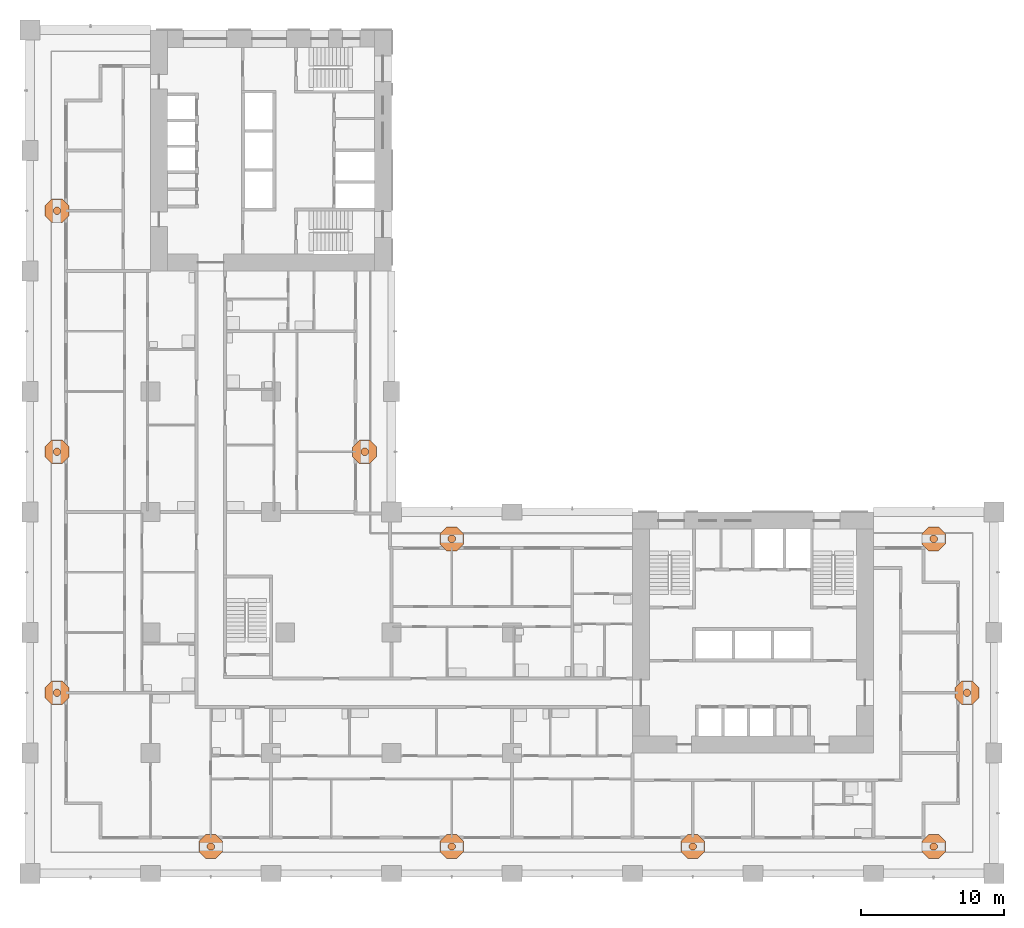
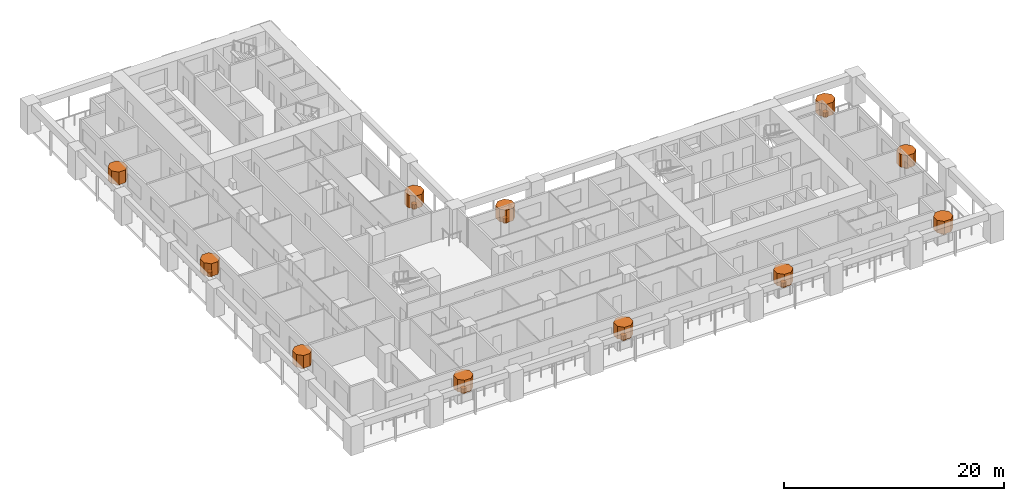
# One storey, part 20 of 20: 22 geographic elements.
"""IFC4 building model written with IfcOpenShell, lengths in metres."""

from ifc_helpers import new_model, si_unit, direction, frame, origin, place, context, subcontext, project, spatial, polyline, outline, extrude, material, element, save


model = new_model("IFC4")

# Units and contexts
model_context = context("Model", 3, precision=1e-05, world=origin(), true_north=direction((0.0, 1.0)))
body_context = subcontext(model_context, "Body", "Model", "MODEL_VIEW")
ifc_project = project(units=[si_unit("LENGTHUNIT", "METRE"), si_unit("AREAUNIT", "SQUARE_METRE"), si_unit("VOLUMEUNIT", "CUBIC_METRE"), si_unit("PLANEANGLEUNIT", "RADIAN"), si_unit("MASSUNIT", "GRAM", prefix="KILO")], contexts=[model_context])

# Site, building, storey
site_placement = place(None, origin())
site = spatial("IfcSite", under=ifc_project, at=site_placement, CompositionType="ELEMENT")
building_placement = place(site_placement, origin())
building = spatial("IfcBuilding", under=site, at=building_placement, Name="Vermilion Gate Residences", CompositionType="ELEMENT")
storey_placement = place(building_placement, frame((0.0, 0.0, 35.699951171875)))
storey = spatial("IfcBuildingStorey", under=building, at=storey_placement, Name="L07", CompositionType="ELEMENT", Elevation=35.699951171875)

# Geographic elements
ifc_material = material(Name="Foliage")
geographic_element_1_placement = place(storey_placement, frame((0.0, 0.0, 0.900146484375)))
element("IfcGeographicElement", 1, at=geographic_element_1_placement, inside=storey, material=ifc_material, Name="Tree (maple)", ObjectType="TREE", PredefinedType="USERDEFINED", context=body_context, shape_type="SweptSolid", body=[
    extrude(outline(polyline([(12.85400390625, 1.980224609375), (12.705078125, 2.129150390625), (12.494873046875, 2.129150390625), (12.345947265625, 1.980224609375), (12.345947265625, 1.769775390625), (12.494873046875, 1.620849609375), (12.705078125, 1.620849609375), (12.85400390625, 1.769775390625), (12.85400390625, 1.980224609375)])), origin(), (0.0, 0.0, 1.0), 0.52001953125),
])
geographic_element_2_placement = place(storey_placement, frame((0.0, 0.0, 1.420166015625)))
element("IfcGeographicElement", 2, at=geographic_element_2_placement, inside=storey, material=ifc_material, Name="Tree crown (maple)", ObjectType="TREE", PredefinedType="USERDEFINED", context=body_context, shape_type="SweptSolid", body=[
    extrude(outline(polyline([(13.431396484375, 2.219482421875), (12.9443359375, 2.70654296875), (12.255615234375, 2.70654296875), (11.7685546875, 2.219482421875), (11.7685546875, 1.530517578125), (12.255615234375, 1.04345703125), (12.9443359375, 1.04345703125), (13.431396484375, 1.530517578125), (13.431396484375, 2.219482421875)])), origin(), (0.0, 0.0, 1.0), 1.39990234375),
])
geographic_element_3_placement = place(storey_placement, frame((0.0, 0.0, 0.900146484375)))
element("IfcGeographicElement", 3, at=geographic_element_3_placement, inside=storey, material=ifc_material, Name="Tree (black pine)", ObjectType="TREE", PredefinedType="USERDEFINED", context=body_context, shape_type="SweptSolid", body=[
    extrude(outline(polyline([(29.654052734375, 1.980224609375), (29.505126953125, 2.129150390625), (29.294921875, 2.129150390625), (29.14599609375, 1.980224609375), (29.14599609375, 1.769775390625), (29.294921875, 1.620849609375), (29.505126953125, 1.620849609375), (29.654052734375, 1.769775390625), (29.654052734375, 1.980224609375)])), origin(), (0.0, 0.0, 1.0), 0.52001953125),
])
geographic_element_4_placement = place(storey_placement, frame((0.0, 0.0, 1.420166015625)))
element("IfcGeographicElement", 4, at=geographic_element_4_placement, inside=storey, material=ifc_material, Name="Tree crown (black pine)", ObjectType="TREE", PredefinedType="USERDEFINED", context=body_context, shape_type="SweptSolid", body=[
    extrude(outline(polyline([(30.2314453125, 2.219482421875), (29.744384765625, 2.70654296875), (29.0556640625, 2.70654296875), (28.568603515625, 2.219482421875), (28.568603515625, 1.530517578125), (29.0556640625, 1.04345703125), (29.744384765625, 1.04345703125), (30.2314453125, 1.530517578125), (30.2314453125, 2.219482421875)])), origin(), (0.0, 0.0, 1.0), 1.39990234375),
])
geographic_element_5_placement = place(storey_placement, frame((0.0, 0.0, 0.900146484375)))
element("IfcGeographicElement", 5, at=geographic_element_5_placement, inside=storey, material=ifc_material, Name="Tree (maple)", ObjectType="TREE", PredefinedType="USERDEFINED", context=body_context, shape_type="SweptSolid", body=[
    extrude(outline(polyline([(46.4541015625, 1.980224609375), (46.30517578125, 2.129150390625), (46.0947265625, 2.129150390625), (45.94580078125, 1.980224609375), (45.94580078125, 1.769775390625), (46.0947265625, 1.620849609375), (46.30517578125, 1.620849609375), (46.4541015625, 1.769775390625), (46.4541015625, 1.980224609375)])), origin(), (0.0, 0.0, 1.0), 0.52001953125),
])
geographic_element_6_placement = place(storey_placement, frame((0.0, 0.0, 1.420166015625)))
element("IfcGeographicElement", 6, at=geographic_element_6_placement, inside=storey, material=ifc_material, Name="Tree crown (maple)", ObjectType="TREE", PredefinedType="USERDEFINED", context=body_context, shape_type="SweptSolid", body=[
    extrude(outline(polyline([(47.031494140625, 2.219482421875), (46.54443359375, 2.70654296875), (45.855712890625, 2.70654296875), (45.368408203125, 2.219482421875), (45.368408203125, 1.530517578125), (45.855712890625, 1.04345703125), (46.54443359375, 1.04345703125), (47.031494140625, 1.530517578125), (47.031494140625, 2.219482421875)])), origin(), (0.0, 0.0, 1.0), 1.39990234375),
])
geographic_element_7_placement = place(storey_placement, frame((0.0, 0.0, 0.900146484375)))
element("IfcGeographicElement", 7, at=geographic_element_7_placement, inside=storey, material=ifc_material, Name="Tree (black pine)", ObjectType="TREE", PredefinedType="USERDEFINED", context=body_context, shape_type="SweptSolid", body=[
    extrude(outline(polyline([(63.254150390625, 1.980224609375), (63.105224609375, 2.129150390625), (62.894775390625, 2.129150390625), (62.745849609375, 1.980224609375), (62.745849609375, 1.769775390625), (62.894775390625, 1.620849609375), (63.105224609375, 1.620849609375), (63.254150390625, 1.769775390625), (63.254150390625, 1.980224609375)])), origin(), (0.0, 0.0, 1.0), 0.52001953125),
])
geographic_element_8_placement = place(storey_placement, frame((0.0, 0.0, 1.420166015625)))
element("IfcGeographicElement", 8, at=geographic_element_8_placement, inside=storey, material=ifc_material, Name="Tree crown (black pine)", ObjectType="TREE", PredefinedType="USERDEFINED", context=body_context, shape_type="SweptSolid", body=[
    extrude(outline(polyline([(63.83154296875, 2.219482421875), (63.344482421875, 2.70654296875), (62.655517578125, 2.70654296875), (62.16845703125, 2.219482421875), (62.16845703125, 1.530517578125), (62.655517578125, 1.04345703125), (63.344482421875, 1.04345703125), (63.83154296875, 1.530517578125), (63.83154296875, 2.219482421875)])), origin(), (0.0, 0.0, 1.0), 1.39990234375),
])
geographic_element_9_placement = place(storey_placement, frame((0.0, 0.0, 0.900146484375)))
element("IfcGeographicElement", 9, at=geographic_element_9_placement, inside=storey, material=ifc_material, Name="Tree (maple)", ObjectType="TREE", PredefinedType="USERDEFINED", context=body_context, shape_type="SweptSolid", body=[
    extrude(outline(polyline([(65.5791015625, 12.705078125), (65.43017578125, 12.85400390625), (65.2197265625, 12.85400390625), (65.07080078125, 12.705078125), (65.07080078125, 12.494873046875), (65.2197265625, 12.345947265625), (65.43017578125, 12.345947265625), (65.5791015625, 12.494873046875), (65.5791015625, 12.705078125)])), origin(), (0.0, 0.0, 1.0), 0.52001953125),
])
geographic_element_10_placement = place(storey_placement, frame((0.0, 0.0, 1.420166015625)))
element("IfcGeographicElement", 10, at=geographic_element_10_placement, inside=storey, material=ifc_material, Name="Tree crown (maple)", ObjectType="TREE", PredefinedType="USERDEFINED", context=body_context, shape_type="SweptSolid", body=[
    extrude(outline(polyline([(66.156494140625, 12.9443359375), (65.66943359375, 13.431396484375), (64.980712890625, 13.431396484375), (64.493408203125, 12.9443359375), (64.493408203125, 12.255615234375), (64.980712890625, 11.7685546875), (65.66943359375, 11.7685546875), (66.156494140625, 12.255615234375), (66.156494140625, 12.9443359375)])), origin(), (0.0, 0.0, 1.0), 1.39990234375),
])
geographic_element_11_placement = place(storey_placement, frame((0.0, 0.0, 0.900146484375)))
element("IfcGeographicElement", 11, at=geographic_element_11_placement, inside=storey, material=ifc_material, Name="Tree (black pine)", ObjectType="TREE", PredefinedType="USERDEFINED", context=body_context, shape_type="SweptSolid", body=[
    extrude(outline(polyline([(29.654052734375, 23.43017578125), (29.505126953125, 23.5791015625), (29.294921875, 23.5791015625), (29.14599609375, 23.43017578125), (29.14599609375, 23.2197265625), (29.294921875, 23.07080078125), (29.505126953125, 23.07080078125), (29.654052734375, 23.2197265625), (29.654052734375, 23.43017578125)])), origin(), (0.0, 0.0, 1.0), 0.52001953125),
])
geographic_element_12_placement = place(storey_placement, frame((0.0, 0.0, 1.420166015625)))
element("IfcGeographicElement", 12, at=geographic_element_12_placement, inside=storey, material=ifc_material, Name="Tree crown (black pine)", ObjectType="TREE", PredefinedType="USERDEFINED", context=body_context, shape_type="SweptSolid", body=[
    extrude(outline(polyline([(30.2314453125, 23.66943359375), (29.744384765625, 24.156494140625), (29.0556640625, 24.156494140625), (28.568603515625, 23.66943359375), (28.568603515625, 22.980712890625), (29.0556640625, 22.493408203125), (29.744384765625, 22.493408203125), (30.2314453125, 22.980712890625), (30.2314453125, 23.66943359375)])), origin(), (0.0, 0.0, 1.0), 1.39990234375),
])
geographic_element_13_placement = place(storey_placement, frame((0.0, 0.0, 0.900146484375)))
element("IfcGeographicElement", 13, at=geographic_element_13_placement, inside=storey, material=ifc_material, Name="Tree (black pine)", ObjectType="TREE", PredefinedType="USERDEFINED", context=body_context, shape_type="SweptSolid", body=[
    extrude(outline(polyline([(63.254150390625, 23.43017578125), (63.105224609375, 23.5791015625), (62.894775390625, 23.5791015625), (62.745849609375, 23.43017578125), (62.745849609375, 23.2197265625), (62.894775390625, 23.07080078125), (63.105224609375, 23.07080078125), (63.254150390625, 23.2197265625), (63.254150390625, 23.43017578125)])), origin(), (0.0, 0.0, 1.0), 0.52001953125),
])
geographic_element_14_placement = place(storey_placement, frame((0.0, 0.0, 1.420166015625)))
element("IfcGeographicElement", 14, at=geographic_element_14_placement, inside=storey, material=ifc_material, Name="Tree crown (black pine)", ObjectType="TREE", PredefinedType="USERDEFINED", context=body_context, shape_type="SweptSolid", body=[
    extrude(outline(polyline([(63.83154296875, 23.66943359375), (63.344482421875, 24.156494140625), (62.655517578125, 24.156494140625), (62.16845703125, 23.66943359375), (62.16845703125, 22.980712890625), (62.655517578125, 22.493408203125), (63.344482421875, 22.493408203125), (63.83154296875, 22.980712890625), (63.83154296875, 23.66943359375)])), origin(), (0.0, 0.0, 1.0), 1.39990234375),
])
geographic_element_15_placement = place(storey_placement, frame((0.0, 0.0, 0.900146484375)))
element("IfcGeographicElement", 15, at=geographic_element_15_placement, inside=storey, material=ifc_material, Name="Tree (black pine)", ObjectType="TREE", PredefinedType="USERDEFINED", context=body_context, shape_type="SweptSolid", body=[
    extrude(outline(polyline([(23.5791015625, 29.505126953125), (23.43017578125, 29.654052734375), (23.2197265625, 29.654052734375), (23.07080078125, 29.505126953125), (23.07080078125, 29.294921875), (23.2197265625, 29.14599609375), (23.43017578125, 29.14599609375), (23.5791015625, 29.294921875), (23.5791015625, 29.505126953125)])), origin(), (0.0, 0.0, 1.0), 0.52001953125),
])
geographic_element_16_placement = place(storey_placement, frame((0.0, 0.0, 1.420166015625)))
element("IfcGeographicElement", 16, at=geographic_element_16_placement, inside=storey, material=ifc_material, Name="Tree crown (black pine)", ObjectType="TREE", PredefinedType="USERDEFINED", context=body_context, shape_type="SweptSolid", body=[
    extrude(outline(polyline([(24.156494140625, 29.744384765625), (23.66943359375, 30.2314453125), (22.980712890625, 30.2314453125), (22.493408203125, 29.744384765625), (22.493408203125, 29.0556640625), (22.980712890625, 28.568603515625), (23.66943359375, 28.568603515625), (24.156494140625, 29.0556640625), (24.156494140625, 29.744384765625)])), origin(), (0.0, 0.0, 1.0), 1.39990234375),
])
geographic_element_17_placement = place(storey_placement, frame((0.0, 0.0, 0.900146484375)))
element("IfcGeographicElement", 17, at=geographic_element_17_placement, inside=storey, material=ifc_material, Name="Tree (maple)", ObjectType="TREE", PredefinedType="USERDEFINED", context=body_context, shape_type="SweptSolid", body=[
    extrude(outline(polyline([(2.129150390625, 12.705078125), (1.980224609375, 12.85400390625), (1.769775390625, 12.85400390625), (1.620849609375, 12.705078125), (1.620849609375, 12.494873046875), (1.769775390625, 12.345947265625), (1.980224609375, 12.345947265625), (2.129150390625, 12.494873046875), (2.129150390625, 12.705078125)])), origin(), (0.0, 0.0, 1.0), 0.52001953125),
])
geographic_element_18_placement = place(storey_placement, frame((0.0, 0.0, 1.420166015625)))
element("IfcGeographicElement", 18, at=geographic_element_18_placement, inside=storey, material=ifc_material, Name="Tree crown (maple)", ObjectType="TREE", PredefinedType="USERDEFINED", context=body_context, shape_type="SweptSolid", body=[
    extrude(outline(polyline([(2.70654296875, 12.9443359375), (2.219482421875, 13.431396484375), (1.530517578125, 13.431396484375), (1.04345703125, 12.9443359375), (1.04345703125, 12.255615234375), (1.530517578125, 11.7685546875), (2.219482421875, 11.7685546875), (2.70654296875, 12.255615234375), (2.70654296875, 12.9443359375)])), origin(), (0.0, 0.0, 1.0), 1.39990234375),
])
geographic_element_19_placement = place(storey_placement, frame((0.0, 0.0, 0.900146484375)))
element("IfcGeographicElement", 19, at=geographic_element_19_placement, inside=storey, material=ifc_material, Name="Tree (black pine)", ObjectType="TREE", PredefinedType="USERDEFINED", context=body_context, shape_type="SweptSolid", body=[
    extrude(outline(polyline([(2.129150390625, 29.505126953125), (1.980224609375, 29.654052734375), (1.769775390625, 29.654052734375), (1.620849609375, 29.505126953125), (1.620849609375, 29.294921875), (1.769775390625, 29.14599609375), (1.980224609375, 29.14599609375), (2.129150390625, 29.294921875), (2.129150390625, 29.505126953125)])), origin(), (0.0, 0.0, 1.0), 0.52001953125),
])
geographic_element_20_placement = place(storey_placement, frame((0.0, 0.0, 1.420166015625)))
element("IfcGeographicElement", 20, at=geographic_element_20_placement, inside=storey, material=ifc_material, Name="Tree crown (black pine)", ObjectType="TREE", PredefinedType="USERDEFINED", context=body_context, shape_type="SweptSolid", body=[
    extrude(outline(polyline([(2.70654296875, 29.744384765625), (2.219482421875, 30.2314453125), (1.530517578125, 30.2314453125), (1.04345703125, 29.744384765625), (1.04345703125, 29.0556640625), (1.530517578125, 28.568603515625), (2.219482421875, 28.568603515625), (2.70654296875, 29.0556640625), (2.70654296875, 29.744384765625)])), origin(), (0.0, 0.0, 1.0), 1.39990234375),
])
geographic_element_21_placement = place(storey_placement, frame((0.0, 0.0, 0.900146484375)))
element("IfcGeographicElement", 21, at=geographic_element_21_placement, inside=storey, material=ifc_material, Name="Tree (maple)", ObjectType="TREE", PredefinedType="USERDEFINED", context=body_context, shape_type="SweptSolid", body=[
    extrude(outline(polyline([(2.129150390625, 46.30517578125), (1.980224609375, 46.4541015625), (1.769775390625, 46.4541015625), (1.620849609375, 46.30517578125), (1.620849609375, 46.0947265625), (1.769775390625, 45.94580078125), (1.980224609375, 45.94580078125), (2.129150390625, 46.0947265625), (2.129150390625, 46.30517578125)])), origin(), (0.0, 0.0, 1.0), 0.52001953125),
])
geographic_element_22_placement = place(storey_placement, frame((0.0, 0.0, 1.420166015625)))
element("IfcGeographicElement", 22, at=geographic_element_22_placement, inside=storey, material=ifc_material, Name="Tree crown (maple)", ObjectType="TREE", PredefinedType="USERDEFINED", context=body_context, shape_type="SweptSolid", body=[
    extrude(outline(polyline([(2.70654296875, 46.54443359375), (2.219482421875, 47.031494140625), (1.530517578125, 47.031494140625), (1.04345703125, 46.54443359375), (1.04345703125, 45.855712890625), (1.530517578125, 45.368408203125), (2.219482421875, 45.368408203125), (2.70654296875, 45.855712890625), (2.70654296875, 46.54443359375)])), origin(), (0.0, 0.0, 1.0), 1.39990234375),
])

save(model, "model.ifc")
